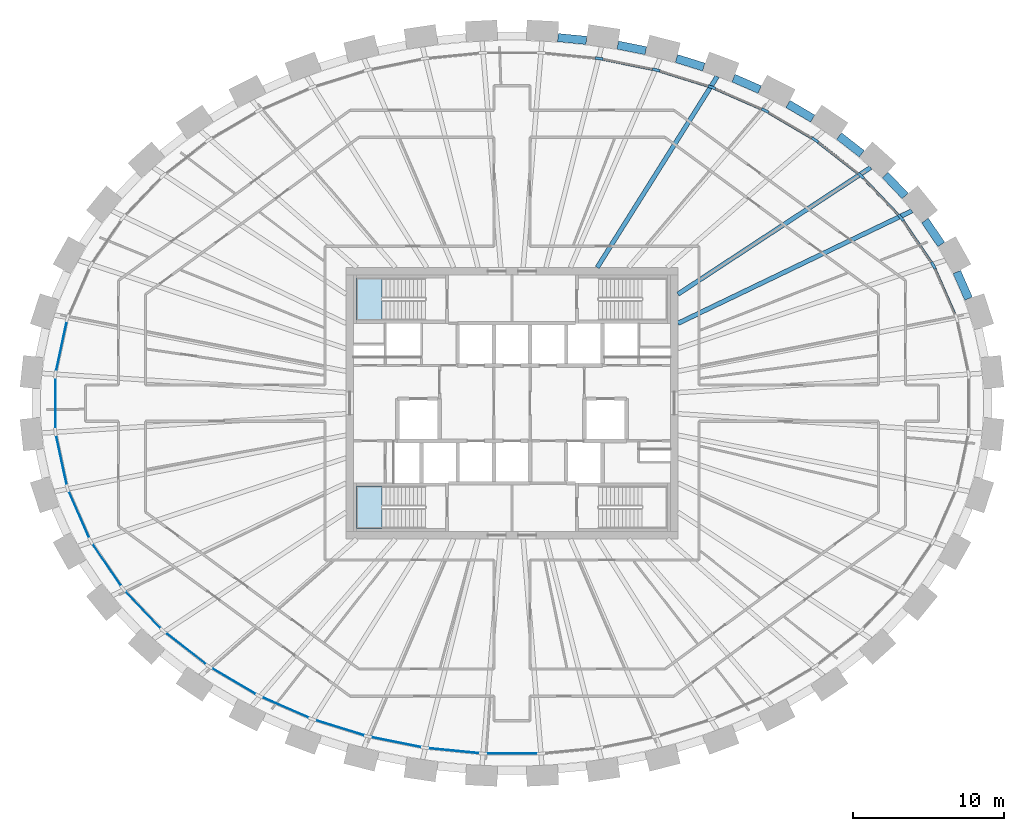
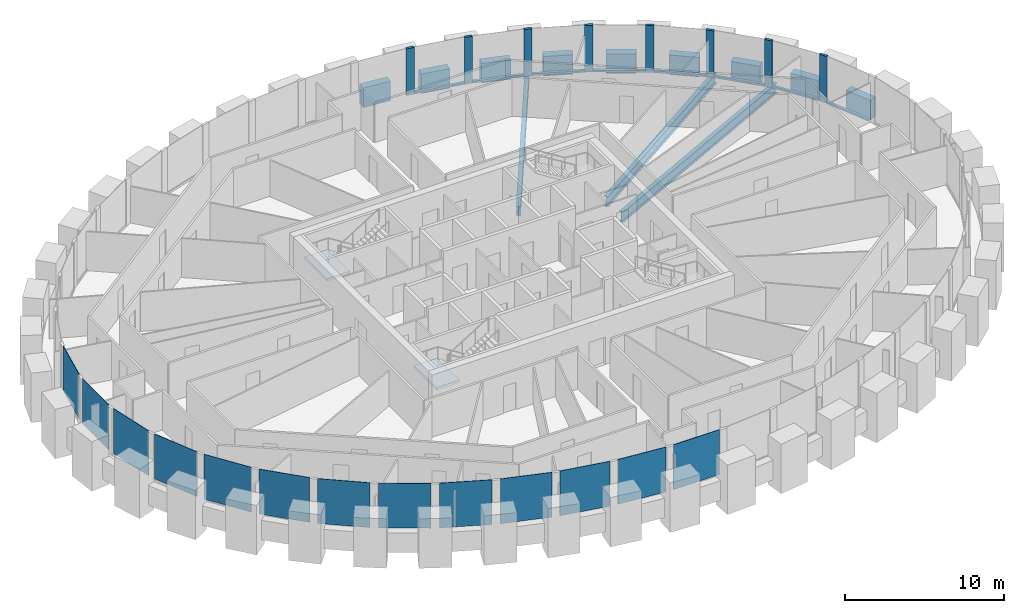
# One storey, part 4 of 12: 16 members, 13 plates, 12 beams, 2 slabs, 3 elements without a shape of their own.
"""IFC4 building model written with IfcOpenShell, lengths in metres."""

import ifcopenshell
import ifcopenshell.guid

model = None  # the IFC model being written
_history = None  # IfcOwnerHistory: only IFC2X3 demands one
_inside = {}  # id of a spatial element -> (the spatial element, [elements in it])
_under = {}  # id of a project, library or spatial element -> (it, [spatial elements below it])
_declared = {}  # id of a project -> (the project, [libraries it declares])
_typed = {}  # id of a type object -> (the type object, [elements of that type])
_made_of = {}  # id of a material, layer set ... -> (it, [elements and type objects made of it])


def new_model(schema):
    """Start an empty IFC model of exactly this schema.

    Asked for "IFC4X3", IfcOpenShell would pick the latest addendum, in which some entities
    have other attributes; the version numbers below select the first issue.
    IFC2X3 requires an IfcOwnerHistory on every rooted entity: one is made here for all.
    """
    global model, _history
    if schema == "IFC4X3":
        model = ifcopenshell.file(schema_version=(4, 3, 0, 0))
    else:
        model = ifcopenshell.file(schema=schema)
    _inside.clear()
    _under.clear()
    _declared.clear()
    _typed.clear()
    _made_of.clear()
    _history = None
    if model.schema == "IFC2X3":
        org = make("IfcOrganization", Name="unknown")
        user = make(
            "IfcPersonAndOrganization",
            ThePerson=make("IfcPerson", FamilyName="unknown"),
            TheOrganization=org,
        )
        app = make(
            "IfcApplication",
            ApplicationDeveloper=org,
            Version="unknown",
            ApplicationFullName="unknown",
            ApplicationIdentifier="unknown",
        )
        _history = make(
            "IfcOwnerHistory",
            OwningUser=user,
            OwningApplication=app,
            ChangeAction="ADDED",
            CreationDate=0,
        )
    return model


def make(cls, **values):
    """One entity of the class cls with the attributes given. An attribute that is None is left unset."""
    return model.create_entity(
        cls, **{name: value for name, value in values.items() if value is not None}
    )


def rooted(cls, **values):
    """An entity with a GlobalId (a new one), such as an element, a storey or a relation."""
    return make(cls, GlobalId=ifcopenshell.guid.new(), OwnerHistory=_history, **values)


def si_unit(unit_type, name, prefix=None):
    """IfcSIUnit, for example si_unit("LENGTHUNIT", "METRE", prefix="MILLI")."""
    return make("IfcSIUnit", UnitType=unit_type, Prefix=prefix, Name=name)


def assignment(units):
    """IfcUnitAssignment: the units of a project."""
    return None if units is None else make("IfcUnitAssignment", Units=units)


def point(xyz):
    """IfcCartesianPoint."""
    return None if xyz is None else make("IfcCartesianPoint", Coordinates=xyz)


def direction(xyz):
    """IfcDirection."""
    return None if xyz is None else make("IfcDirection", DirectionRatios=xyz)


def frame(location, z_axis=None, x_axis=None):
    """IfcAxis2Placement3D, a coordinate frame: its origin and axes. An axis left out is left unset."""
    return make(
        "IfcAxis2Placement3D",
        Location=point(location),
        Axis=direction(z_axis),
        RefDirection=direction(x_axis),
    )


def frame_2d(location, x_axis=None):
    """IfcAxis2Placement2D, a coordinate frame in the plane: its origin and x axis."""
    return make(
        "IfcAxis2Placement2D", Location=point(location), RefDirection=direction(x_axis)
    )


def origin():
    """The frame at (0, 0, 0) with its axes left unset."""
    return frame((0.0, 0.0, 0.0))


def origin_2d():
    """The frame at (0, 0) in the plane with its x axis left unset."""
    return frame_2d((0.0, 0.0))


def place(relative_to, where):
    """IfcLocalPlacement: puts the frame where relative to a parent placement (None: the world)."""
    return make(
        "IfcLocalPlacement", PlacementRelTo=relative_to, RelativePlacement=where
    )


def context(
    kind, dimensions, precision=None, world=None, true_north=None, identifier=None
):
    """IfcGeometricRepresentationContext, for example the 3D "Model" context."""
    return make(
        "IfcGeometricRepresentationContext",
        ContextIdentifier=identifier,
        ContextType=kind,
        CoordinateSpaceDimension=dimensions,
        Precision=precision,
        WorldCoordinateSystem=world,
        TrueNorth=true_north,
    )


def subcontext(parent, identifier, kind, view, scale=None):
    """IfcGeometricRepresentationSubContext, for example "Body" below "Model"."""
    return make(
        "IfcGeometricRepresentationSubContext",
        ContextIdentifier=identifier,
        ContextType=kind,
        ParentContext=parent,
        TargetScale=scale,
        TargetView=view,
    )


def project(units=None, contexts=None):
    """IfcProject with its units and contexts."""
    return rooted(
        "IfcProject",
        Name="project",
        RepresentationContexts=contexts,
        UnitsInContext=assignment(units),
    )


def spatial(cls, under=None, at=None, **own):
    """A site, building, storey or space (cls), placed at a placement, below another one or the project."""
    s = rooted(cls, ObjectPlacement=at, **own)
    if under is not None:
        _under.setdefault(under.id(), (under, []))[1].append(s)
    return s


def polyline(points):
    """IfcPolyline through the points."""
    return make("IfcPolyline", Points=[point(p) for p in points])


def profile(cls, at=None, kind="AREA", **sizes):
    """A parametric profile (cls). Its sizes go by their IFC names, for example OverallWidth=200.0."""
    return make(cls, ProfileType=kind, Position=at, **sizes)


def rectangle(**sizes):
    """IfcRectangleProfileDef."""
    return profile("IfcRectangleProfileDef", **sizes)


def i_section(**sizes):
    """IfcIShapeProfileDef."""
    return profile("IfcIShapeProfileDef", **sizes)


def outline(outer, holes=None, kind="AREA"):
    """IfcArbitraryClosedProfileDef: a profile drawn as a closed curve; with holes, ...WithVoids."""
    if holes is None:
        return make("IfcArbitraryClosedProfileDef", ProfileType=kind, OuterCurve=outer)
    return make(
        "IfcArbitraryProfileDefWithVoids",
        ProfileType=kind,
        OuterCurve=outer,
        InnerCurves=holes,
    )


def extrude(swept, where, along, depth):
    """IfcExtrudedAreaSolid: the profile swept, set in the frame where, extruded along a direction by depth."""
    return make(
        "IfcExtrudedAreaSolid",
        SweptArea=swept,
        Position=where,
        ExtrudedDirection=direction(along),
        Depth=depth,
    )


def shape(context_of_items, identifier, shape_type, items):
    """IfcShapeRepresentation: the items that make up one representation, for example the "Body"."""
    return make(
        "IfcShapeRepresentation",
        ContextOfItems=context_of_items,
        RepresentationIdentifier=identifier,
        RepresentationType=shape_type,
        Items=items,
    )


def source(mapping_origin, context_of_items, identifier, shape_type, items):
    """IfcRepresentationMap: a shape defined once, which mapped items show again and again."""
    return make(
        "IfcRepresentationMap",
        MappingOrigin=mapping_origin,
        MappedRepresentation=shape(context_of_items, identifier, shape_type, items),
    )


def transform(
    local_origin,
    x_axis=None,
    y_axis=None,
    z_axis=None,
    scale=None,
    scale2=None,
    scale3=None,
    uniform=True,
):
    """IfcCartesianTransformationOperator3D, or its non-uniform kind. x_axis, y_axis, z_axis: its Axis1, 2, 3."""
    if uniform:
        return make(
            "IfcCartesianTransformationOperator3D",
            Axis1=direction(x_axis),
            Axis2=direction(y_axis),
            LocalOrigin=point(local_origin),
            Scale=scale,
            Axis3=direction(z_axis),
        )
    return make(
        "IfcCartesianTransformationOperator3DnonUniform",
        Axis1=direction(x_axis),
        Axis2=direction(y_axis),
        LocalOrigin=point(local_origin),
        Scale=scale,
        Axis3=direction(z_axis),
        Scale2=scale2,
        Scale3=scale3,
    )


def mapped(mapping_source, mapping_target):
    """IfcMappedItem: shows the shape of a source again, moved by a transform."""
    return make(
        "IfcMappedItem", MappingSource=mapping_source, MappingTarget=mapping_target
    )


def material(Name=None, Category=None):
    """IfcMaterial."""
    return make("IfcMaterial", Name=Name, Category=Category)


def layer(
    of_material, thickness, ventilated=None, Name=None, Category=None, Priority=None
):
    """IfcMaterialLayer: one layer of a wall or slab, of a material (None: an air gap)."""
    return make(
        "IfcMaterialLayer",
        Material=of_material,
        LayerThickness=thickness,
        IsVentilated=ventilated,
        Name=Name,
        Category=Category,
        Priority=Priority,
    )


def layer_set(layers, Name=None):
    """IfcMaterialLayerSet."""
    return make("IfcMaterialLayerSet", MaterialLayers=layers, LayerSetName=Name)


def material_profile(
    of_material, cross_section, Name=None, Category=None, Priority=None
):
    """IfcMaterialProfile: a cross section and its material."""
    return make(
        "IfcMaterialProfile",
        Name=Name,
        Material=of_material,
        Profile=cross_section,
        Priority=Priority,
        Category=Category,
    )


def profile_set(profiles, Name=None, composite=None):
    """IfcMaterialProfileSet."""
    return make(
        "IfcMaterialProfileSet",
        Name=Name,
        MaterialProfiles=profiles,
        CompositeProfile=composite,
    )


def made_of(thing, what):
    """Note that an element or type object is made of a material, layer set ...; save() writes the relation."""
    if what is not None:
        _made_of.setdefault(what.id(), (what, []))[1].append(thing)
    return thing


def type_object(cls, material=None, **own):
    """A type object (cls), such as IfcWallType, which elements share."""
    return made_of(rooted(cls, **own), material)


def element(
    cls,
    number,
    at=None,
    inside=None,
    cuts=None,
    type_object=None,
    material=None,
    context=None,
    identifier="Body",
    shape_type=None,
    held_by="IfcProductDefinitionShape",
    body=None,
    shapes=None,
    **own,
):
    """One element of the class cls, such as IfcWall. Its Tag is "e" and its number.

    at: its placement. inside: the storey or other place that contains it. cuts: it is an
    opening in that element (IfcRelVoidsElement). A single representation is given by context,
    identifier, shape_type and body (its items); several are given by shapes. held_by: the class
    of the entity that holds the representations. save() writes the other relations.
    """
    e = rooted(cls, Tag="e%d" % number, ObjectPlacement=at, **own)
    if body is not None:
        shapes = [shape(context, identifier, shape_type, body)]
    if shapes is not None:
        e.Representation = make(held_by, Representations=shapes)
    if inside is not None:
        _inside.setdefault(inside.id(), (inside, []))[1].append(e)
    if cuts is not None:
        rooted(
            "IfcRelVoidsElement", RelatingBuildingElement=cuts, RelatedOpeningElement=e
        )
    if type_object is not None:
        _typed.setdefault(type_object.id(), (type_object, []))[1].append(e)
    return made_of(e, material)


def aggregate(whole, parts):
    """IfcRelAggregates: a whole, such as a stair, and the parts it consists of."""
    return rooted("IfcRelAggregates", RelatingObject=whole, RelatedObjects=parts)


def save(model, path):
    """Write the relations noted so far, then the file.

    IfcRelAggregates (storeys below a building ...), IfcRelContainedInSpatialStructure (elements
    in a storey), IfcRelDefinesByType, IfcRelAssociatesMaterial and IfcRelDeclares: one each for
    every whole, place, type object, material and project.
    """
    for whole, parts in _under.values():
        aggregate(whole, parts)
    for where, things in _inside.values():
        rooted(
            "IfcRelContainedInSpatialStructure",
            RelatedElements=things,
            RelatingStructure=where,
        )
    for kind, things in _typed.values():
        rooted("IfcRelDefinesByType", RelatedObjects=things, RelatingType=kind)
    for what, things in _made_of.values():
        rooted("IfcRelAssociatesMaterial", RelatedObjects=things, RelatingMaterial=what)
    for by, libraries in _declared.values():
        rooted("IfcRelDeclares", RelatingContext=by, RelatedDefinitions=libraries)
    model.write(path)


model = new_model("IFC4")

# Units and contexts
model_context = context("Model", 3, precision=1e-05, world=origin(), true_north=direction((0.0, 1.0)))
body_context = subcontext(model_context, "Body", "Model", "MODEL_VIEW")
ifc_project = project(units=[si_unit("LENGTHUNIT", "METRE"), si_unit("AREAUNIT", "SQUARE_METRE"), si_unit("VOLUMEUNIT", "CUBIC_METRE"), si_unit("PLANEANGLEUNIT", "RADIAN"), si_unit("MASSUNIT", "GRAM", prefix="KILO")], contexts=[model_context])

# Site, building, storey
site_placement = place(None, origin())
site = spatial("IfcSite", under=ifc_project, at=site_placement, CompositionType="ELEMENT")
building_placement = place(site_placement, origin())
building = spatial("IfcBuilding", under=site, at=building_placement, Name="Embergate Tower", CompositionType="ELEMENT")
storey_placement = place(building_placement, frame((0.0, 0.0, 285.10009765625)))
storey = spatial("IfcBuildingStorey", under=building, at=storey_placement, Name="L66", CompositionType="ELEMENT", Elevation=285.10009765625)

# Beams
ifc_material_1 = material(Name="Concrete C60", Category="concrete")
ifc_material_profile_1 = material_profile(ifc_material_1, rectangle(XDim=0.550048828125, YDim=1.5, at=origin_2d()), Name="RC 550x1500")
ifc_profile_set_1 = profile_set([ifc_material_profile_1], Name="Concrete C60")
beam_type_1 = type_object("IfcBeamType", Name="Spandrel beam RC 550x1500 C60", PredefinedType="BEAM", material=ifc_profile_set_1)
shared_shape_1 = source(origin(), body_context, "Body", "SweptSolid", [
    extrude(rectangle(XDim=0.550048828125, YDim=1.5, at=origin_2d()), origin(), (0.0, 0.0, 1.0), 1.924560546875),
])
beam_1_placement = place(storey_placement, frame((30.26904296875, 6.93505859375, 0.0), z_axis=(-0.402156084764, 0.91557112421, 0.0), x_axis=(-0.91557112421, -0.402156084764, 0.0)))
element("IfcBeam", 1, at=beam_1_placement, inside=storey, type_object=beam_type_1, Name="SPN-L66-01", PredefinedType="BEAM", context=body_context, shape_type="MappedRepresentation", body=[
    mapped(shared_shape_1, transform((0.0, 0.0, 0.0))),
])
shared_shape_2 = source(origin(), body_context, "Body", "SweptSolid", [
    extrude(rectangle(XDim=0.550048828125, YDim=1.5, at=origin_2d()), origin(), (0.0, 0.0, 1.0), 1.91455078125),
])
beam_2_placement = place(storey_placement, frame((28.4609375, 10.52490234375, 0.0), z_axis=(-0.562473939822, 0.826815013785, 0.0), x_axis=(-0.826815013785, -0.562473939822, 0.0)))
element("IfcBeam", 2, at=beam_2_placement, inside=storey, type_object=beam_type_1, Name="SPN-L66-02", PredefinedType="BEAM", context=body_context, shape_type="MappedRepresentation", body=[
    mapped(shared_shape_2, transform((0.0, 0.0, 0.0))),
])
shared_shape_3 = source(origin(), body_context, "Body", "SweptSolid", [
    extrude(rectangle(XDim=0.550048828125, YDim=1.5, at=origin_2d()), origin(), (0.0, 0.0, 1.0), 1.913330078125),
])
beam_3_placement = place(storey_placement, frame((26.06494140625, 13.741943359375, 0.0), z_axis=(-0.690454502374, 0.723375822206, 0.0), x_axis=(-0.723375822206, -0.690454502374, 0.0)))
element("IfcBeam", 3, at=beam_3_placement, inside=storey, type_object=beam_type_1, Name="SPN-L66-03", PredefinedType="BEAM", context=body_context, shape_type="MappedRepresentation", body=[
    mapped(shared_shape_3, transform((0.0, 0.0, 0.0))),
])
shared_shape_4 = source(origin(), body_context, "Body", "SweptSolid", [
    extrude(rectangle(XDim=0.550048828125, YDim=1.5, at=origin_2d()), origin(), (0.0, 0.0, 1.0), 1.907958984375),
])
beam_4_placement = place(storey_placement, frame((23.18798828125, 16.535888671875, 0.0), z_axis=(-0.788241602778, 0.615365887623, 0.0), x_axis=(-0.615365887623, -0.788241602778, 0.0)))
element("IfcBeam", 4, at=beam_4_placement, inside=storey, type_object=beam_type_1, Name="SPN-L66-04", PredefinedType="BEAM", context=body_context, shape_type="MappedRepresentation", body=[
    mapped(shared_shape_4, transform((0.0, 0.0, 0.0))),
])
shared_shape_5 = source(origin(), body_context, "Body", "SweptSolid", [
    extrude(rectangle(XDim=0.550048828125, YDim=1.5, at=origin_2d()), origin(), (0.0, 0.0, 1.0), 1.90234375),
])
beam_5_placement = place(storey_placement, frame((19.93603515625, 18.8740234375, 0.0), z_axis=(-0.862145280572, 0.506661144343, 0.0), x_axis=(-0.506661144343, -0.862145280572, 0.0)))
element("IfcBeam", 5, at=beam_5_placement, inside=storey, type_object=beam_type_1, Name="SPN-L66-05", PredefinedType="BEAM", context=body_context, shape_type="MappedRepresentation", body=[
    mapped(shared_shape_5, transform((0.0, 0.0, 0.0))),
])
shared_shape_6 = source(origin(), body_context, "Body", "SweptSolid", [
    extrude(rectangle(XDim=0.550048828125, YDim=1.5, at=origin_2d()), origin(), (0.0, 0.0, 1.0), 1.89990234375),
])
beam_6_placement = place(storey_placement, frame((16.425048828125, 20.79296875, 0.0), z_axis=(-0.916289991501, 0.400515482192, 0.0), x_axis=(-0.400515482192, -0.916289991501, 0.0)))
element("IfcBeam", 6, at=beam_6_placement, inside=storey, type_object=beam_type_1, Name="SPN-L66-06", PredefinedType="BEAM", context=body_context, shape_type="MappedRepresentation", body=[
    mapped(shared_shape_6, transform((0.0, 0.0, 0.0))),
])
shared_shape_7 = source(origin(), body_context, "Body", "SweptSolid", [
    extrude(rectangle(XDim=0.550048828125, YDim=1.5, at=origin_2d()), origin(), (0.0, 0.0, 1.0), 1.898681640625),
])
beam_7_placement = place(storey_placement, frame((12.717041015625, 22.2880859375, 0.0), z_axis=(-0.954868123024, 0.297030078667, 0.0), x_axis=(-0.297030078667, -0.954868123024, 0.0)))
element("IfcBeam", 7, at=beam_7_placement, inside=storey, type_object=beam_type_1, Name="SPN-L66-07", PredefinedType="BEAM", context=body_context, shape_type="MappedRepresentation", body=[
    mapped(shared_shape_7, transform((0.0, 0.0, 0.0))),
])
shared_shape_8 = source(origin(), body_context, "Body", "SweptSolid", [
    extrude(rectangle(XDim=0.550048828125, YDim=1.5, at=origin_2d()), origin(), (0.0, 0.0, 1.0), 1.895751953125),
])
beam_8_placement = place(storey_placement, frame((8.868896484375, 23.3720703125, 0.0), z_axis=(-0.980575722075, 0.196140901592, 0.0), x_axis=(-0.196140901592, -0.980575722075, 0.0)))
element("IfcBeam", 8, at=beam_8_placement, inside=storey, type_object=beam_type_1, Name="SPN-L66-08", PredefinedType="BEAM", context=body_context, shape_type="MappedRepresentation", body=[
    mapped(shared_shape_8, transform((0.0, 0.0, 0.0))),
])
shared_shape_9 = source(origin(), body_context, "Body", "SweptSolid", [
    extrude(rectangle(XDim=0.550048828125, YDim=1.5, at=origin_2d()), origin(), (0.0, 0.0, 1.0), 1.896240234375),
])
beam_9_placement = place(storey_placement, frame((4.93310546875, 24.053955078125, 0.0), z_axis=(-0.995176416472, 0.098101478571, 0.0), x_axis=(-0.098101478571, -0.995176416472, 0.0)))
element("IfcBeam", 9, at=beam_9_placement, inside=storey, type_object=beam_type_1, Name="SPN-L66-09", PredefinedType="BEAM", context=body_context, shape_type="MappedRepresentation", body=[
    mapped(shared_shape_9, transform((0.0, 0.0, 0.0))),
])
ifc_material_2 = material(Name="Steel Q355B", Category="steel")
ifc_material_profile_2 = material_profile(ifc_material_2, i_section(OverallWidth=0.300048828125, OverallDepth=0.800048828125, WebThickness=0.013916015625, FlangeThickness=0.02587890625, FilletRadius=0.028076171875, at=origin_2d()), Name="HN 800x300x14x26")
ifc_profile_set_2 = profile_set([ifc_material_profile_2], Name="Steel Q355 grade B")
beam_type_2 = type_object("IfcBeamType", Name="Radial girder HN 800x300x14x26", PredefinedType="BEAM", material=ifc_profile_set_2)
shared_shape_10 = source(origin(), body_context, "Body", "SweptSolid", [
    extrude(i_section(OverallWidth=0.300048828125, OverallDepth=0.800048828125, WebThickness=0.013916015625, FlangeThickness=0.02587890625, FilletRadius=0.028076171875, at=origin_2d()), origin(), (0.0, 0.0, 1.0), 17.216552734375),
])
beam_10_placement = place(storey_placement, frame((26.514892578125, 12.7548828125, -0.60009765625), z_axis=(-0.90116604055, -0.433474067689, 0.0), x_axis=(0.433474067689, -0.90116604055, 0.0)))
element("IfcBeam", 10, at=beam_10_placement, inside=storey, type_object=beam_type_2, Name="GIR-L66-03", PredefinedType="BEAM", context=body_context, shape_type="MappedRepresentation", body=[
    mapped(shared_shape_10, transform((0.0, 0.0, 0.0))),
])
shared_shape_11 = source(origin(), body_context, "Body", "SweptSolid", [
    extrude(i_section(OverallWidth=0.300048828125, OverallDepth=0.800048828125, WebThickness=0.013916015625, FlangeThickness=0.02587890625, FilletRadius=0.028076171875, at=origin_2d()), origin(), (0.0, 0.0, 1.0), 15.29052734375),
])
beam_11_placement = place(storey_placement, frame((23.779052734375, 15.623046875, -0.60009765625), z_axis=(-0.835755516173, -0.549101736645, 0.0), x_axis=(0.549101736645, -0.835755516173, 0.0)))
element("IfcBeam", 11, at=beam_11_placement, inside=storey, type_object=beam_type_2, Name="GIR-L66-04", PredefinedType="BEAM", context=body_context, shape_type="MappedRepresentation", body=[
    mapped(shared_shape_11, transform((0.0, 0.0, 0.0))),
])
ifc_material_profile_3 = material_profile(ifc_material_2, i_section(OverallWidth=0.300048828125, OverallDepth=0.699951171875, WebThickness=0.012939453125, FlangeThickness=0.02392578125, FilletRadius=0.01806640625, at=origin_2d()), Name="HN 700x300x13x24")
ifc_profile_set_3 = profile_set([ifc_material_profile_3], Name="Steel Q355 grade B")
beam_type_3 = type_object("IfcBeamType", Name="Radial girder HN 700x300x13x24", PredefinedType="BEAM", material=ifc_profile_set_3)
shared_shape_12 = source(origin(), body_context, "Body", "SweptSolid", [
    extrude(i_section(OverallWidth=0.300048828125, OverallDepth=0.699951171875, WebThickness=0.012939453125, FlangeThickness=0.02392578125, FilletRadius=0.01806640625, at=origin_2d()), origin(), (0.0, 0.0, 1.0), 14.94970703125),
])
beam_12_placement = place(storey_placement, frame((13.60400390625, 21.659912109375, -0.550048828125), z_axis=(-0.531848758453, -0.846839357926, 0.0), x_axis=(0.846839357926, -0.531848758453, 0.0)))
element("IfcBeam", 12, at=beam_12_placement, inside=storey, type_object=beam_type_3, Name="GIR-L66-07", PredefinedType="BEAM", context=body_context, shape_type="MappedRepresentation", body=[
    mapped(shared_shape_12, transform((0.0, 0.0, 0.0))),
])

# Curtain wall, members, plates
ifc_material_3 = material(Name="Aluminium and glass", Category="aluminium")
curtain_wall_type = type_object("IfcCurtainWallType", Name="Recessed office glazing", PredefinedType="NOTDEFINED", material=ifc_material_3)
curtain_wall_placement = place(storey_placement, origin())
curtain_wall = element("IfcCurtainWall", 13, at=curtain_wall_placement, inside=storey, type_object=curtain_wall_type, Name="Recessed office glazing ring", ObjectType="RECESSED OFFICE GLAZING", PredefinedType="USERDEFINED")
ifc_material_4 = material(Name="Aluminium, thermally broken", Category="aluminium")
ifc_material_profile_4 = material_profile(ifc_material_4, rectangle(XDim=0.179931640625, YDim=0.52001953125, at=origin_2d()), Name="AL 520x180")
ifc_profile_set_4 = profile_set([ifc_material_profile_4], Name="Aluminium, thermally broken")
member_type_1 = type_object("IfcMemberType", Name="Office mullion", PredefinedType="MULLION", material=ifc_profile_set_4)
shared_shape_13 = source(origin(), body_context, "Body", "SweptSolid", [
    extrude(rectangle(XDim=0.179931640625, YDim=0.52001953125, at=origin_2d()), origin(), (0.0, 0.0, 1.0), 3.599853515625),
])
member_1_placement = place(storey_placement, frame((27.93896484375, 9.13623046875, 0.0), z_axis=(0.0, 0.0, 1.0), x_axis=(-0.874988376324, -0.484143926222, 0.0)))
member_1 = element("IfcMember", 14, at=member_1_placement, type_object=member_type_1, Name="CW mullion 3", PredefinedType="MULLION", context=body_context, shape_type="MappedRepresentation", body=[
    mapped(shared_shape_13, transform((0.0, 0.0, 0.0))),
])
member_2_placement = place(storey_placement, frame((25.784912109375, 12.3037109375, 0.0), z_axis=(0.0, 0.0, 1.0), x_axis=(-0.777856112038, -0.628442414996, 0.0)))
member_2 = element("IfcMember", 15, at=member_2_placement, type_object=member_type_1, Name="CW mullion 4", PredefinedType="MULLION", context=body_context, shape_type="MappedRepresentation", body=[
    mapped(shared_shape_13, transform((0.0, 0.0, 0.0))),
])
member_3_placement = place(storey_placement, frame((23.135498046875, 15.081787109375, 0.0), z_axis=(0.0, 0.0, 1.0), x_axis=(-0.671209715303, -0.741267507775, 0.0)))
member_3 = element("IfcMember", 16, at=member_3_placement, type_object=member_type_1, Name="CW mullion 5", PredefinedType="MULLION", context=body_context, shape_type="MappedRepresentation", body=[
    mapped(shared_shape_13, transform((0.0, 0.0, 0.0))),
])
member_4_placement = place(storey_placement, frame((20.103271484375, 17.4482421875, 0.0), z_axis=(0.0, 0.0, 1.0), x_axis=(-0.562201741385, -0.827000122118, 0.0)))
member_4 = element("IfcMember", 17, at=member_4_placement, type_object=member_type_1, Name="CW mullion 6", PredefinedType="MULLION", context=body_context, shape_type="MappedRepresentation", body=[
    mapped(shared_shape_13, transform((0.0, 0.0, 0.0))),
])
member_5_placement = place(storey_placement, frame((16.782470703125, 19.400634765625, 0.0), z_axis=(0.0, 0.0, 1.0), x_axis=(-0.454498943392, -0.890747276423, 0.0)))
member_5 = element("IfcMember", 18, at=member_5_placement, type_object=member_type_1, Name="CW mullion 7", PredefinedType="MULLION", context=body_context, shape_type="MappedRepresentation", body=[
    mapped(shared_shape_13, transform((0.0, 0.0, 0.0))),
])
member_6_placement = place(storey_placement, frame((13.248779296875, 20.94580078125, 0.0), z_axis=(0.0, 0.0, 1.0), x_axis=(-0.349492871267, -0.93693902306, 0.0)))
member_6 = element("IfcMember", 19, at=member_6_placement, type_object=member_type_1, Name="CW mullion 8", PredefinedType="MULLION", context=body_context, shape_type="MappedRepresentation", body=[
    mapped(shared_shape_13, transform((0.0, 0.0, 0.0))),
])
member_7_placement = place(storey_placement, frame((9.5634765625, 22.093505859375, 0.0), z_axis=(0.0, 0.0, 1.0), x_axis=(-0.247305116915, -0.968937654933, 0.0)))
member_7 = element("IfcMember", 20, at=member_7_placement, type_object=member_type_1, Name="CW mullion 9", PredefinedType="MULLION", context=body_context, shape_type="MappedRepresentation", body=[
    mapped(shared_shape_13, transform((0.0, 0.0, 0.0))),
])
member_8_placement = place(storey_placement, frame((5.776611328125, 22.852783203125, 0.0), z_axis=(0.0, 0.0, 1.0), x_axis=(-0.147407204031, -0.98907589001, 0.0)))
member_8 = element("IfcMember", 21, at=member_8_placement, type_object=member_type_1, Name="CW mullion 10", PredefinedType="MULLION", context=body_context, shape_type="MappedRepresentation", body=[
    mapped(shared_shape_13, transform((0.0, 0.0, 0.0))),
])
ifc_material_profile_5 = material_profile(ifc_material_4, rectangle(XDim=0.179931640625, YDim=0.14990234375, at=origin_2d()), Name="AL 150x180")
ifc_profile_set_5 = profile_set([ifc_material_profile_5], Name="Aluminium, thermally broken")
member_type_2 = type_object("IfcMemberType", Name="Office sill transom", PredefinedType="USERDEFINED", material=ifc_profile_set_5)
shared_shape_14 = source(origin(), body_context, "Body", "SweptSolid", [
    extrude(rectangle(XDim=0.179931640625, YDim=0.14990234375, at=origin_2d()), origin(), (0.0, 0.0, 1.0), 3.302001953125),
])
member_9_placement = place(storey_placement, frame((29.36962890625, 5.874267578125, 0.074951171875), z_axis=(-0.401633209746, 0.915800614123, 0.0), x_axis=(-0.915800614123, -0.401633209746, 0.0)))
member_9 = element("IfcMember", 22, at=member_9_placement, type_object=member_type_2, Name="CW transom 2.1", ObjectType="TRANSOM", PredefinedType="USERDEFINED", context=body_context, shape_type="MappedRepresentation", body=[
    mapped(shared_shape_14, transform((0.0, 0.0, 0.0))),
])
shared_shape_15 = source(origin(), body_context, "Body", "SweptSolid", [
    extrude(rectangle(XDim=0.179931640625, YDim=0.14990234375, at=origin_2d()), origin(), (0.0, 0.0, 1.0), 3.310302734375),
])
member_10_placement = place(storey_placement, frame((27.792724609375, 9.351318359375, 0.074951171875), z_axis=(-0.562352383191, 0.82689769447, 0.0), x_axis=(-0.82689769447, -0.562352383191, 0.0)))
member_10 = element("IfcMember", 23, at=member_10_placement, type_object=member_type_2, Name="CW transom 3.1", ObjectType="TRANSOM", PredefinedType="USERDEFINED", context=body_context, shape_type="MappedRepresentation", body=[
    mapped(shared_shape_15, transform((0.0, 0.0, 0.0))),
])
shared_shape_16 = source(origin(), body_context, "Body", "SweptSolid", [
    extrude(rectangle(XDim=0.179931640625, YDim=0.14990234375, at=origin_2d()), origin(), (0.0, 0.0, 1.0), 3.3193359375),
])
member_11_placement = place(storey_placement, frame((25.60546875, 12.49169921875, 0.074951171875), z_axis=(-0.690138048093, 0.723677742213, 0.0), x_axis=(-0.723677742213, -0.690138048093, 0.0)))
member_11 = element("IfcMember", 24, at=member_11_placement, type_object=member_type_2, Name="CW transom 4.1", ObjectType="TRANSOM", PredefinedType="USERDEFINED", context=body_context, shape_type="MappedRepresentation", body=[
    mapped(shared_shape_16, transform((0.0, 0.0, 0.0))),
])
shared_shape_17 = source(origin(), body_context, "Body", "SweptSolid", [
    extrude(rectangle(XDim=0.179931640625, YDim=0.14990234375, at=origin_2d()), origin(), (0.0, 0.0, 1.0), 3.326416015625),
])
member_12_placement = place(storey_placement, frame((22.930419921875, 15.24169921875, 0.074951171875), z_axis=(-0.788323597631, 0.615260843398, 0.0), x_axis=(-0.615260843398, -0.788323597631, 0.0)))
member_12 = element("IfcMember", 25, at=member_12_placement, type_object=member_type_2, Name="CW transom 5.1", ObjectType="TRANSOM", PredefinedType="USERDEFINED", context=body_context, shape_type="MappedRepresentation", body=[
    mapped(shared_shape_17, transform((0.0, 0.0, 0.0))),
])
shared_shape_18 = source(origin(), body_context, "Body", "SweptSolid", [
    extrude(rectangle(XDim=0.179931640625, YDim=0.14990234375, at=origin_2d()), origin(), (0.0, 0.0, 1.0), 3.33203125),
])
member_13_placement = place(storey_placement, frame((19.87890625, 17.580078125, 0.074951171875), z_axis=(-0.862049093097, 0.506824783421, 0.0), x_axis=(-0.506824783421, -0.862049093097, 0.0)))
member_13 = element("IfcMember", 26, at=member_13_placement, type_object=member_type_2, Name="CW transom 6.1", ObjectType="TRANSOM", PredefinedType="USERDEFINED", context=body_context, shape_type="MappedRepresentation", body=[
    mapped(shared_shape_18, transform((0.0, 0.0, 0.0))),
])
shared_shape_19 = source(origin(), body_context, "Body", "SweptSolid", [
    extrude(rectangle(XDim=0.179931640625, YDim=0.14990234375, at=origin_2d()), origin(), (0.0, 0.0, 1.0), 3.3369140625),
])
member_14_placement = place(storey_placement, frame((16.544189453125, 19.5048828125, 0.074951171875), z_axis=(-0.9162597376, 0.40058468924, 0.0), x_axis=(-0.40058468924, -0.9162597376, 0.0)))
member_14 = element("IfcMember", 27, at=member_14_placement, type_object=member_type_2, Name="CW transom 7.1", ObjectType="TRANSOM", PredefinedType="USERDEFINED", context=body_context, shape_type="MappedRepresentation", body=[
    mapped(shared_shape_19, transform((0.0, 0.0, 0.0))),
])
shared_shape_20 = source(origin(), body_context, "Body", "SweptSolid", [
    extrude(rectangle(XDim=0.179931640625, YDim=0.14990234375, at=origin_2d()), origin(), (0.0, 0.0, 1.0), 3.340087890625),
])
member_15_placement = place(storey_placement, frame((13.00048828125, 21.023193359375, 0.074951171875), z_axis=(-0.95478901941, 0.29728425524, 0.0), x_axis=(-0.29728425524, -0.95478901941, 0.0)))
member_15 = element("IfcMember", 28, at=member_15_placement, type_object=member_type_2, Name="CW transom 8.1", ObjectType="TRANSOM", PredefinedType="USERDEFINED", context=body_context, shape_type="MappedRepresentation", body=[
    mapped(shared_shape_20, transform((0.0, 0.0, 0.0))),
])
shared_shape_21 = source(origin(), body_context, "Body", "SweptSolid", [
    extrude(rectangle(XDim=0.179931640625, YDim=0.14990234375, at=origin_2d()), origin(), (0.0, 0.0, 1.0), 3.34228515625),
])
member_16_placement = place(storey_placement, frame((9.30859375, 22.14453125, 0.074951171875), z_axis=(-0.980476589981, 0.196635847443, 0.0), x_axis=(-0.196635847443, -0.980476589981, 0.0)))
member_16 = element("IfcMember", 29, at=member_16_placement, type_object=member_type_2, Name="CW transom 9.1", ObjectType="TRANSOM", PredefinedType="USERDEFINED", context=body_context, shape_type="MappedRepresentation", body=[
    mapped(shared_shape_21, transform((0.0, 0.0, 0.0))),
])
ifc_material_5 = material(Name="Triple glazing, low-emissivity coating", Category="glass")
ifc_layer_1 = layer(ifc_material_5, 0.035888671875)
ifc_layer_set_1 = layer_set([ifc_layer_1], Name="Triple glazing, low-emissivity coating")
plate_type = type_object("IfcPlateType", Name="Office glazing unit", PredefinedType="CURTAIN_PANEL", material=ifc_layer_set_1)
shared_shape_22 = source(origin(), body_context, "Body", "SweptSolid", [
    extrude(rectangle(XDim=3.295166015625, YDim=0.035888671875, at=origin_2d()), origin(), (0.0, 0.0, 1.0), 3.449951171875),
])
plate_1_placement = place(storey_placement, frame((-29.87548828125, 3.771240234375, 0.14990234375), z_axis=(0.0, 0.0, 1.0), x_axis=(-0.210405216217, -0.977614261858, 0.0)))
plate_1 = element("IfcPlate", 30, at=plate_1_placement, type_object=plate_type, Name="CW panel 21.1", PredefinedType="CURTAIN_PANEL", context=body_context, shape_type="MappedRepresentation", body=[
    mapped(shared_shape_22, transform((0.0, 0.0, 0.0))),
])
plate_2_placement = place(storey_placement, frame((-29.87548828125, -3.771240234375, 0.14990234375), z_axis=(0.0, 0.0, 1.0), x_axis=(0.210405216217, -0.977614261858, 0.0)))
plate_2 = element("IfcPlate", 31, at=plate_2_placement, type_object=plate_type, Name="CW panel 23.1", PredefinedType="CURTAIN_PANEL", context=body_context, shape_type="MappedRepresentation", body=[
    mapped(shared_shape_22, transform((0.0, 0.0, 0.0))),
])
shared_shape_23 = source(origin(), body_context, "Body", "SweptSolid", [
    extrude(rectangle(XDim=3.302001953125, YDim=0.035888671875, at=origin_2d()), origin(), (0.0, 0.0, 1.0), 3.449951171875),
])
plate_3_placement = place(storey_placement, frame((-28.70654296875, -7.385986328125, 0.14990234375), z_axis=(0.0, 0.0, 1.0), x_axis=(0.401663289641, -0.915787421706, 0.0)))
plate_3 = element("IfcPlate", 32, at=plate_3_placement, type_object=plate_type, Name="CW panel 24.1", PredefinedType="CURTAIN_PANEL", context=body_context, shape_type="MappedRepresentation", body=[
    mapped(shared_shape_23, transform((0.0, 0.0, 0.0))),
])
shared_shape_24 = source(origin(), body_context, "Body", "SweptSolid", [
    extrude(rectangle(XDim=3.310546875, YDim=0.035888671875, at=origin_2d()), origin(), (0.0, 0.0, 1.0), 3.449951171875),
])
plate_4_placement = place(storey_placement, frame((-26.86181640625, -10.719970703125, 0.14990234375), z_axis=(0.0, 0.0, 1.0), x_axis=(0.562353287631, -0.826897079382, 0.0)))
plate_4 = element("IfcPlate", 33, at=plate_4_placement, type_object=plate_type, Name="CW panel 25.1", PredefinedType="CURTAIN_PANEL", context=body_context, shape_type="MappedRepresentation", body=[
    mapped(shared_shape_24, transform((0.0, 0.0, 0.0))),
])
shared_shape_25 = source(origin(), body_context, "Body", "SweptSolid", [
    extrude(rectangle(XDim=3.319091796875, YDim=0.035888671875, at=origin_2d()), origin(), (0.0, 0.0, 1.0), 3.449951171875),
])
plate_5_placement = place(storey_placement, frame((-24.460205078125, -13.69287109375, 0.14990234375), z_axis=(0.0, 0.0, 1.0), x_axis=(0.690143888901, -0.723672172059, 0.0)))
plate_5 = element("IfcPlate", 34, at=plate_5_placement, type_object=plate_type, Name="CW panel 26.1", PredefinedType="CURTAIN_PANEL", context=body_context, shape_type="MappedRepresentation", body=[
    mapped(shared_shape_25, transform((0.0, 0.0, 0.0))),
])
shared_shape_26 = source(origin(), body_context, "Body", "SweptSolid", [
    extrude(rectangle(XDim=3.326416015625, YDim=0.035888671875, at=origin_2d()), origin(), (0.0, 0.0, 1.0), 3.449951171875),
])
plate_6_placement = place(storey_placement, frame((-21.619384765625, -16.26513671875, 0.14990234375), z_axis=(0.0, 0.0, 1.0), x_axis=(0.788326562254, -0.615257044855, 0.0)))
plate_6 = element("IfcPlate", 35, at=plate_6_placement, type_object=plate_type, Name="CW panel 27.1", PredefinedType="CURTAIN_PANEL", context=body_context, shape_type="MappedRepresentation", body=[
    mapped(shared_shape_26, transform((0.0, 0.0, 0.0))),
])
shared_shape_27 = source(origin(), body_context, "Body", "SweptSolid", [
    extrude(rectangle(XDim=3.332275390625, YDim=0.035888671875, at=origin_2d()), origin(), (0.0, 0.0, 1.0), 3.449951171875),
])
plate_7_placement = place(storey_placement, frame((-18.44287109375, -18.424560546875, 0.14990234375), z_axis=(0.0, 0.0, 1.0), x_axis=(0.862057590599, -0.506810329898, 0.0)))
plate_7 = element("IfcPlate", 36, at=plate_7_placement, type_object=plate_type, Name="CW panel 28.1", PredefinedType="CURTAIN_PANEL", context=body_context, shape_type="MappedRepresentation", body=[
    mapped(shared_shape_27, transform((0.0, 0.0, 0.0))),
])
shared_shape_28 = source(origin(), body_context, "Body", "SweptSolid", [
    extrude(rectangle(XDim=3.336669921875, YDim=0.035888671875, at=origin_2d()), origin(), (0.0, 0.0, 1.0), 3.449951171875),
])
plate_8_placement = place(storey_placement, frame((-15.015380859375, -20.173095703125, 0.14990234375), z_axis=(0.0, 0.0, 1.0), x_axis=(0.916239008703, -0.400632099227, 0.0)))
plate_8 = element("IfcPlate", 37, at=plate_8_placement, type_object=plate_type, Name="CW panel 29.1", PredefinedType="CURTAIN_PANEL", context=body_context, shape_type="MappedRepresentation", body=[
    mapped(shared_shape_28, transform((0.0, 0.0, 0.0))),
])
shared_shape_29 = source(origin(), body_context, "Body", "SweptSolid", [
    extrude(rectangle(XDim=3.33984375, YDim=0.035888671875, at=origin_2d()), origin(), (0.0, 0.0, 1.0), 3.449951171875),
])
plate_9_placement = place(storey_placement, frame((-11.406005859375, -21.51953125, 0.14990234375), z_axis=(0.0, 0.0, 1.0), x_axis=(0.954773774021, -0.297333214496, 0.0)))
plate_9 = element("IfcPlate", 38, at=plate_9_placement, type_object=plate_type, Name="CW panel 30.1", PredefinedType="CURTAIN_PANEL", context=body_context, shape_type="MappedRepresentation", body=[
    mapped(shared_shape_29, transform((0.0, 0.0, 0.0))),
])
shared_shape_30 = source(origin(), body_context, "Body", "SweptSolid", [
    extrude(rectangle(XDim=3.342041015625, YDim=0.035888671875, at=origin_2d()), origin(), (0.0, 0.0, 1.0), 3.449951171875),
])
plate_10_placement = place(storey_placement, frame((-7.669921875, -22.47314453125, 0.14990234375), z_axis=(0.0, 0.0, 1.0), x_axis=(0.980476593804, -0.196635828382, 0.0)))
plate_10 = element("IfcPlate", 39, at=plate_10_placement, type_object=plate_type, Name="CW panel 31.1", PredefinedType="CURTAIN_PANEL", context=body_context, shape_type="MappedRepresentation", body=[
    mapped(shared_shape_30, transform((0.0, 0.0, 0.0))),
])
shared_shape_31 = source(origin(), body_context, "Body", "SweptSolid", [
    extrude(rectangle(XDim=3.34326171875, YDim=0.035888671875, at=origin_2d()), origin(), (0.0, 0.0, 1.0), 3.449951171875),
])
plate_11_placement = place(storey_placement, frame((-3.854248046875, -23.0419921875, 0.14990234375), z_axis=(0.0, 0.0, 1.0), x_axis=(0.995203355531, -0.09782781373, 0.0)))
plate_11 = element("IfcPlate", 40, at=plate_11_placement, type_object=plate_type, Name="CW panel 32.1", PredefinedType="CURTAIN_PANEL", context=body_context, shape_type="MappedRepresentation", body=[
    mapped(shared_shape_31, transform((0.0, 0.0, 0.0))),
])
shared_shape_32 = source(origin(), body_context, "Body", "SweptSolid", [
    extrude(rectangle(XDim=3.34375, YDim=0.035888671875, at=origin_2d()), origin(), (0.0, 0.0, 1.0), 3.449951171875),
])
plate_12_placement = place(storey_placement, frame((0.0, -23.230712890625, 0.14990234375), z_axis=(0.0, 0.0, 1.0), x_axis=(1.0, 0.0, 0.0)))
plate_12 = element("IfcPlate", 41, at=plate_12_placement, type_object=plate_type, Name="CW panel 33.1", PredefinedType="CURTAIN_PANEL", context=body_context, shape_type="MappedRepresentation", body=[
    mapped(shared_shape_32, transform((0.0, 0.0, 0.0))),
])
shared_shape_33 = source(origin(), body_context, "Body", "SweptSolid", [
    extrude(rectangle(XDim=3.29248046875, YDim=0.035888671875, at=origin_2d()), origin(), (0.0, 0.0, 1.0), 3.449951171875),
])
plate_13_placement = place(storey_placement, frame((-30.27685546875, 0.0, 0.14990234375), z_axis=(0.0, 0.0, 1.0), x_axis=(0.0, -1.0, 0.0)))
plate_13 = element("IfcPlate", 42, at=plate_13_placement, type_object=plate_type, Name="CW panel 22.1", PredefinedType="CURTAIN_PANEL", context=body_context, shape_type="MappedRepresentation", body=[
    mapped(shared_shape_33, transform((0.0, 0.0, 0.0))),
])
aggregate(curtain_wall, [member_1, member_2, member_3, member_4, member_5, member_6, member_7, member_8, member_9, member_10, member_11, member_12, member_13, member_14, member_15, member_16, plate_1, plate_13, plate_2, plate_3, plate_4, plate_5, plate_6, plate_7, plate_8, plate_9, plate_10, plate_11, plate_12])

# Stair, slab
ifc_material_6 = material(Name="Exit stair")
stair_type = type_object("IfcStairType", Name="Exit stair", PredefinedType="HALF_TURN_STAIR", material=ifc_material_6)
stair_1_placement = place(storey_placement, origin())
stair_1 = element("IfcStair", 43, at=stair_1_placement, inside=storey, type_object=stair_type, Name="L66 Exit stair 1", PredefinedType="HALF_TURN_STAIR")
ifc_material_7 = material(Name="Concrete C40", Category="concrete")
ifc_layer_2 = layer(ifc_material_7, 0.199951171875)
ifc_layer_set_2 = layer_set([ifc_layer_2], Name="Concrete C40")
slab_type = type_object("IfcSlabType", Name="Stair landing reinforced concrete", PredefinedType="LANDING", material=ifc_layer_set_2)
shared_shape_34 = source(origin(), body_context, "Body", "SweptSolid", [
    extrude(outline(polyline([(0.0, 0.0), (1.68994140625, 0.0), (1.68994140625, 2.800048828125), (0.0, 2.800048828125), (0.0, 0.0)])), origin(), (0.0, 0.0, 1.0), 0.199951171875),
])
slab_1_placement = place(storey_placement, frame((-10.300048828125, 5.5, 1.75)))
slab_1 = element("IfcSlab", 44, at=slab_1_placement, type_object=slab_type, Name="ST1 landing 1", PredefinedType="LANDING", context=body_context, shape_type="MappedRepresentation", body=[
    mapped(shared_shape_34, transform((0.0, 0.0, 0.0))),
])
aggregate(stair_1, [slab_1])

stair_2_placement = place(storey_placement, origin())
stair_2 = element("IfcStair", 45, at=stair_2_placement, inside=storey, type_object=stair_type, Name="L66 Exit stair 3", PredefinedType="HALF_TURN_STAIR")
slab_2_placement = place(storey_placement, frame((-10.300048828125, -8.300048828125, 1.75)))
slab_2 = element("IfcSlab", 46, at=slab_2_placement, type_object=slab_type, Name="ST3 landing 1", PredefinedType="LANDING", context=body_context, shape_type="MappedRepresentation", body=[
    mapped(shared_shape_34, transform((0.0, 0.0, 0.0))),
])
aggregate(stair_2, [slab_2])

save(model, "model.ifc")
